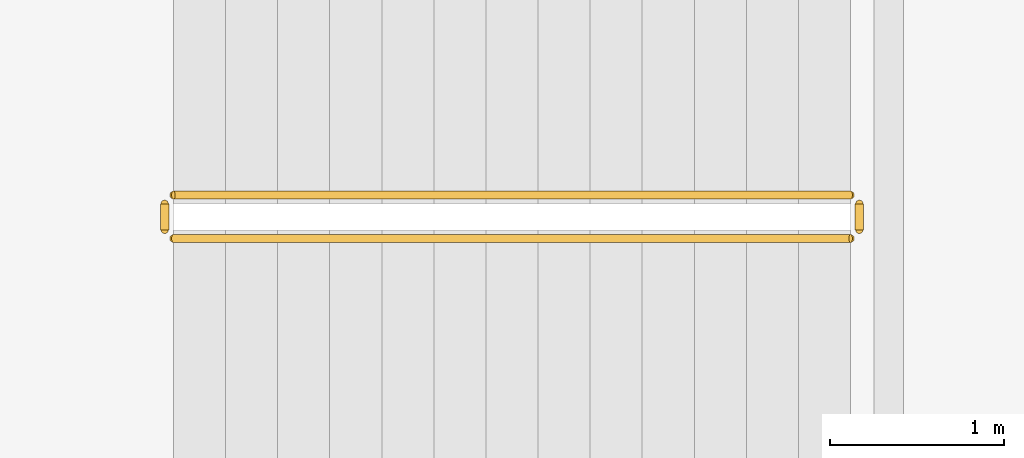
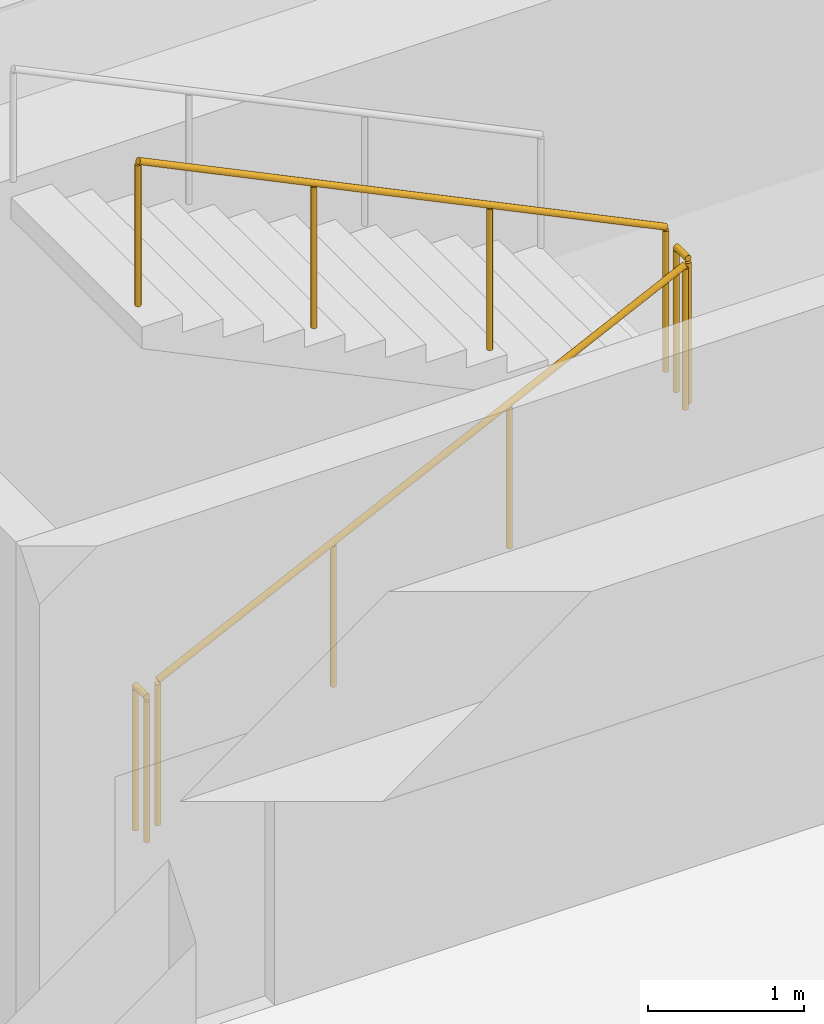
# One storey, part 34 of 35: 4 railings.
"""IFC4 building model written with IfcOpenShell, lengths in metres."""

from ifc_helpers import new_model, si_unit, direction, frame, origin, origin_2d, place, context, subcontext, project, spatial, circle, extrude, material, type_object, element, save


model = new_model("IFC4")

# Units and contexts
model_context = context("Model", 3, precision=1e-05, world=origin(), true_north=direction((0.0, 1.0)))
body_context = subcontext(model_context, "Body", "Model", "MODEL_VIEW")
ifc_project = project(units=[si_unit("LENGTHUNIT", "METRE"), si_unit("AREAUNIT", "SQUARE_METRE"), si_unit("VOLUMEUNIT", "CUBIC_METRE"), si_unit("PLANEANGLEUNIT", "RADIAN"), si_unit("MASSUNIT", "GRAM", prefix="KILO")], contexts=[model_context])

# Site, building, storey
site_placement = place(None, origin())
site = spatial("IfcSite", under=ifc_project, at=site_placement, CompositionType="ELEMENT")
building_placement = place(site_placement, origin())
building = spatial("IfcBuilding", under=site, at=building_placement, Name="Punatoya Terracotta Tower", CompositionType="ELEMENT")
storey_placement = place(building_placement, frame((0.0, 0.0, 64.64990234375)))
storey = spatial("IfcBuildingStorey", under=building, at=storey_placement, Name="L14", CompositionType="ELEMENT", Elevation=64.64990234375)

# Railings
ifc_material = material(Name="Steel S355", Category="steel")
railing_type = type_object("IfcRailingType", Name="RLG-GRD-1150", PredefinedType="GUARDRAIL", material=ifc_material)
railing_1_placement = place(storey_placement, frame((-2.89990234375, 6.949951171875, 0.144775390625)))
element("IfcRailing", 1, at=railing_1_placement, inside=storey, type_object=railing_type, Name="L14 ST-3 stair guard 1", PredefinedType="GUARDRAIL", context=body_context, shape_type="SweptSolid", body=[
    extrude(circle(Radius=0.02392578125, at=origin_2d()), frame((0.0, 0.0, 1.1259765625), z_axis=(0.900763166376, 0.0, 0.434310623978), x_axis=(0.0, 1.0, 0.0)), (0.0, 0.0, 1.0), 4.32958984375),
    extrude(circle(Radius=0.02099609375, at=origin_2d()), origin(), (0.0, 0.0, 1.0), 1.101806640625),
    extrude(circle(Radius=0.02099609375, at=origin_2d()), frame((1.300048828125, 0.0, 0.626708984375)), (0.0, 0.0, 1.0), 1.101806640625),
    extrude(circle(Radius=0.02099609375, at=origin_2d()), frame((2.599853515625, 0.0, 1.253662109375)), (0.0, 0.0, 1.0), 1.101806640625),
    extrude(circle(Radius=0.02099609375, at=origin_2d()), frame((3.89990234375, 0.0, 1.88037109375)), (0.0, 0.0, 1.0), 1.101806640625),
])
railing_2_placement = place(storey_placement, frame((1.050048828125, 7.0, 2.025146484375)))
element("IfcRailing", 2, at=railing_2_placement, inside=storey, type_object=railing_type, Name="L14 ST-3 stair guard 2", PredefinedType="GUARDRAIL", context=body_context, shape_type="SweptSolid", body=[
    extrude(circle(Radius=0.02392578125, at=origin_2d()), frame((0.0, 0.0, 1.1259765625), z_axis=(0.0, 1.0, 0.0), x_axis=(-1.0, 0.0, 0.0)), (0.0, 0.0, 1.0), 0.14990234375),
    extrude(circle(Radius=0.02099609375, at=origin_2d()), origin(), (0.0, 0.0, 1.0), 1.101806640625),
    extrude(circle(Radius=0.02099609375, at=origin_2d()), frame((0.0, 0.14990234375, 0.0)), (0.0, 0.0, 1.0), 1.101806640625),
])
railing_3_placement = place(storey_placement, frame((1.0, 7.199951171875, 2.169677734375)))
element("IfcRailing", 3, at=railing_3_placement, inside=storey, type_object=railing_type, Name="L14 ST-3 stair guard 3", PredefinedType="GUARDRAIL", context=body_context, shape_type="SweptSolid", body=[
    extrude(circle(Radius=0.02392578125, at=origin_2d()), frame((0.0, 0.0, 1.1259765625), z_axis=(-0.900763166376, 0.0, 0.434310623978), x_axis=(0.0, -1.0, 0.0)), (0.0, 0.0, 1.0), 4.32958984375),
    extrude(circle(Radius=0.02099609375, at=origin_2d()), origin(), (0.0, 0.0, 1.0), 1.101806640625),
    extrude(circle(Radius=0.02099609375, at=origin_2d()), frame((-1.300048828125, 0.0, 0.626708984375)), (0.0, 0.0, 1.0), 1.101806640625),
    extrude(circle(Radius=0.02099609375, at=origin_2d()), frame((-2.599853515625, 0.0, 1.253662109375)), (0.0, 0.0, 1.0), 1.101806640625),
    extrude(circle(Radius=0.02099609375, at=origin_2d()), frame((-3.89990234375, 0.0, 1.88037109375)), (0.0, 0.0, 1.0), 1.101806640625),
])
railing_4_placement = place(storey_placement, frame((-2.949951171875, 7.0, 0.0)))
element("IfcRailing", 4, at=railing_4_placement, inside=storey, type_object=railing_type, Name="L14 ST-3 stair guard 4", PredefinedType="GUARDRAIL", context=body_context, shape_type="SweptSolid", body=[
    extrude(circle(Radius=0.02392578125, at=origin_2d()), frame((0.0, 0.0, 1.1259765625), z_axis=(0.0, 1.0, 0.0), x_axis=(-1.0, 0.0, 0.0)), (0.0, 0.0, 1.0), 0.14990234375),
    extrude(circle(Radius=0.02099609375, at=origin_2d()), origin(), (0.0, 0.0, 1.0), 1.101806640625),
    extrude(circle(Radius=0.02099609375, at=origin_2d()), frame((0.0, 0.14990234375, 0.0)), (0.0, 0.0, 1.0), 1.101806640625),
])

save(model, "model.ifc")
